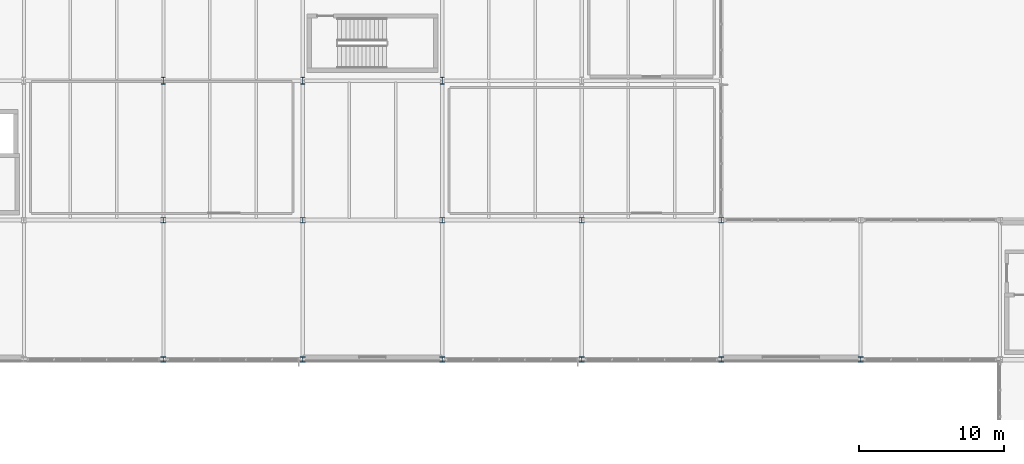
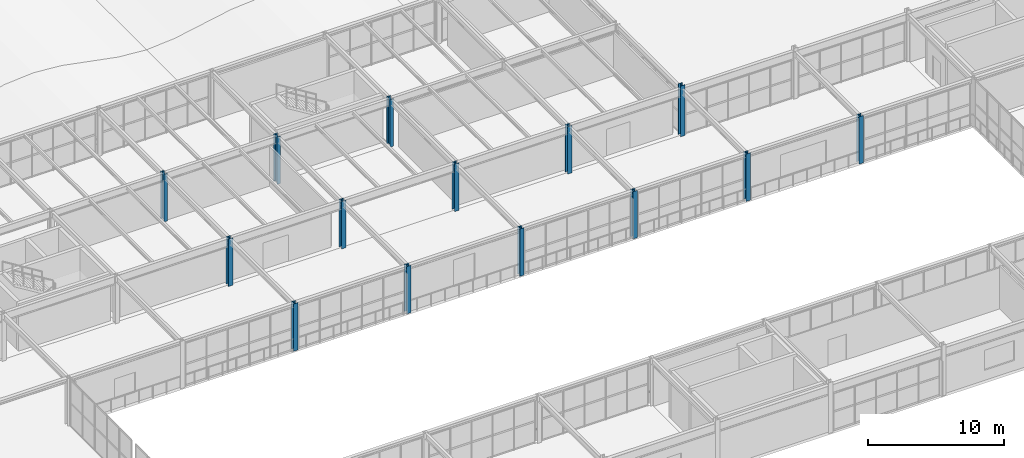
# One storey, part 9 of 170: 14 columns.
"""IFC4 building model written with IfcOpenShell, lengths in metres."""

from ifc_helpers import new_model, si_unit, direction, frame, origin, origin_2d, place, context, subcontext, project, spatial, i_section, extrude, material, material_profile, profile_set, type_object, element, save


model = new_model("IFC4")

# Units and contexts
model_context = context("Model", 3, precision=1e-05, world=origin(), true_north=direction((0.0, 1.0)))
body_context = subcontext(model_context, "Body", "Model", "MODEL_VIEW")
ifc_project = project(units=[si_unit("LENGTHUNIT", "METRE"), si_unit("AREAUNIT", "SQUARE_METRE"), si_unit("VOLUMEUNIT", "CUBIC_METRE"), si_unit("PLANEANGLEUNIT", "RADIAN"), si_unit("MASSUNIT", "GRAM", prefix="KILO")], contexts=[model_context])

# Site, building, storey
site_placement = place(None, origin())
site = spatial("IfcSite", under=ifc_project, at=site_placement, CompositionType="ELEMENT")
building_placement = place(site_placement, origin())
building = spatial("IfcBuilding", under=site, at=building_placement, Name="Coralgate Yard Interchange", CompositionType="ELEMENT")
storey_placement = place(building_placement, frame((0.0, 0.0, 6.0)))
storey = spatial("IfcBuildingStorey", under=building, at=storey_placement, Name="L01", CompositionType="ELEMENT", Elevation=6.0)

# Columns
ifc_material = material(Name="Structural steel S355J2", Category="steel")
ifc_material_profile_1 = material_profile(ifc_material, i_section(OverallWidth=0.300048828125, OverallDepth=0.5, WebThickness=0.014404296875, FlangeThickness=0.028076171875, FilletRadius=0.027099609375, at=origin_2d()), Name="HEB 500")
ifc_profile_set_1 = profile_set([ifc_material_profile_1], Name="Structural steel S355J2")
column_type_1 = type_object("IfcColumnType", Name="COL-SC-10", PredefinedType="COLUMN", material=ifc_profile_set_1)
for number, where, z_axis, x_axis, name in (
    (1, (67.199951171875, 86.39990234375, 0.0), (0.0, 0.0, 1.0), (1.0, 0.0, 0.0), "L01 structural column 7-9"),
    (2, (76.800048828125, 86.39990234375, 0.0), (0.0, 0.0, 1.0), (1.0, 0.0, 0.0), "L01 structural column 8-9"),
    (3, (86.39990234375, 86.39990234375, 0.0), (0.0, 0.0, 1.0), (1.0, 0.0, 0.0), "L01 structural column 9-9"),
):
    element("IfcColumn", number, at=place(storey_placement, frame(where, z_axis=z_axis, x_axis=x_axis)), inside=storey, type_object=column_type_1, Name=name, PredefinedType="COLUMN", context=body_context, shape_type="SweptSolid", body=[
        extrude(i_section(OverallWidth=0.300048828125, OverallDepth=0.5, WebThickness=0.014404296875, FlangeThickness=0.028076171875, FilletRadius=0.027099609375, at=origin_2d()), origin(), (0.0, 0.0, 1.0), 4.25),
    ])
ifc_material_profile_2 = material_profile(ifc_material, i_section(OverallWidth=0.37255859375, OverallDepth=0.3681640625, WebThickness=0.014404296875, FlangeThickness=0.023681640625, FilletRadius=0.01513671875, at=origin_2d()), Name="UC 356x368x177")
ifc_profile_set_2 = profile_set([ifc_material_profile_2], Name="Structural steel S355J2")
column_type_2 = type_object("IfcColumnType", Name="COL-SC-3", PredefinedType="COLUMN", material=ifc_profile_set_2)
for number, where, z_axis, x_axis, name in (
    (4, (67.199951171875, 67.199951171875, 0.0), (0.0, 0.0, 1.0), (1.0, 0.0, 0.0), "L01 structural column 7-7"),
    (5, (67.199951171875, 76.800048828125, 0.0), (0.0, 0.0, 1.0), (1.0, 0.0, 0.0), "L01 structural column 7-8"),
    (6, (76.800048828125, 67.199951171875, 0.0), (0.0, 0.0, 1.0), (1.0, 0.0, 0.0), "L01 structural column 8-7"),
    (7, (76.800048828125, 76.800048828125, 0.0), (0.0, 0.0, 1.0), (1.0, 0.0, 0.0), "L01 structural column 8-8"),
    (8, (86.39990234375, 67.199951171875, 0.0), (0.0, 0.0, 1.0), (1.0, 0.0, 0.0), "L01 structural column 9-7"),
    (9, (86.39990234375, 76.800048828125, 0.0), (0.0, 0.0, 1.0), (1.0, 0.0, 0.0), "L01 structural column 9-8"),
    (10, (96.0, 67.199951171875, 0.0), (0.0, 0.0, 1.0), (1.0, 0.0, 0.0), "L01 structural column 10-7"),
    (11, (96.0, 76.800048828125, 0.0), (0.0, 0.0, 1.0), (1.0, 0.0, 0.0), "L01 structural column 10-8"),
    (12, (105.60009765625, 67.199951171875, 0.0), (0.0, 0.0, 1.0), (1.0, 0.0, 0.0), "L01 structural column 11-7"),
):
    element("IfcColumn", number, at=place(storey_placement, frame(where, z_axis=z_axis, x_axis=x_axis)), inside=storey, type_object=column_type_2, Name=name, PredefinedType="COLUMN", context=body_context, shape_type="SweptSolid", body=[
        extrude(i_section(OverallWidth=0.37255859375, OverallDepth=0.3681640625, WebThickness=0.014404296875, FlangeThickness=0.023681640625, FilletRadius=0.01513671875, at=origin_2d()), origin(), (0.0, 0.0, 1.0), 4.25),
    ])
column_1_placement = place(storey_placement, frame((105.60009765625, 76.800048828125, 0.0), z_axis=(0.0, 0.0, 1.0), x_axis=(1.0, 0.0, 0.0)))
element("IfcColumn", 13, at=column_1_placement, inside=storey, type_object=column_type_2, Name="L01 structural column 11-8", PredefinedType="COLUMN", context=body_context, shape_type="SweptSolid", body=[
    extrude(i_section(OverallWidth=0.37255859375, OverallDepth=0.3681640625, WebThickness=0.014404296875, FlangeThickness=0.023681640625, FilletRadius=0.01513671875, at=origin_2d()), origin(), (0.0, 0.0, 1.0), 4.550048828125),
])
column_2_placement = place(storey_placement, frame((115.199951171875, 67.199951171875, 0.0), z_axis=(0.0, 0.0, 1.0), x_axis=(1.0, 0.0, 0.0)))
element("IfcColumn", 14, at=column_2_placement, inside=storey, type_object=column_type_2, Name="L01 structural column 12-7", PredefinedType="COLUMN", context=body_context, shape_type="SweptSolid", body=[
    extrude(i_section(OverallWidth=0.37255859375, OverallDepth=0.3681640625, WebThickness=0.014404296875, FlangeThickness=0.023681640625, FilletRadius=0.01513671875, at=origin_2d()), origin(), (0.0, 0.0, 1.0), 4.25),
])

save(model, "model.ifc")
